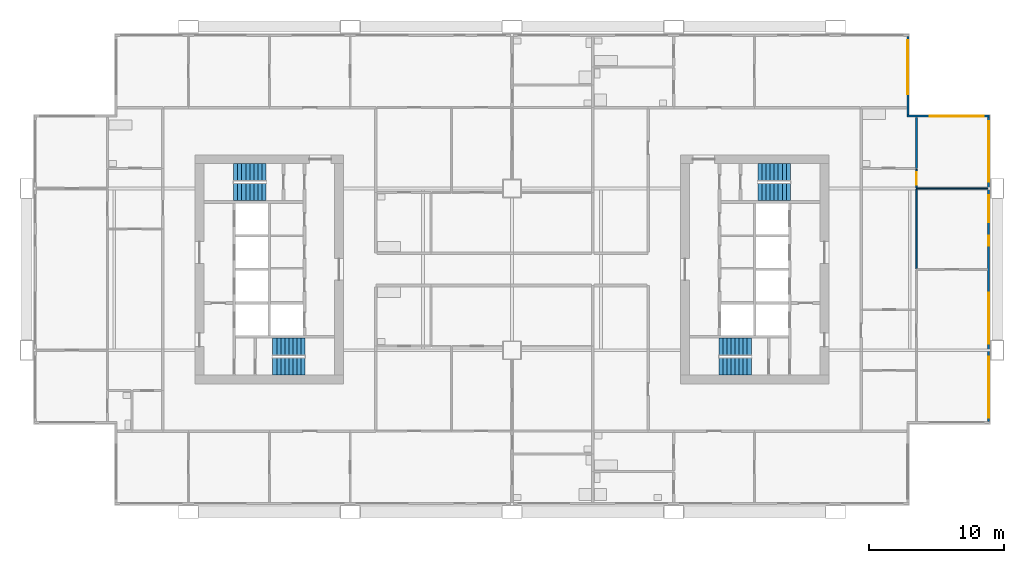
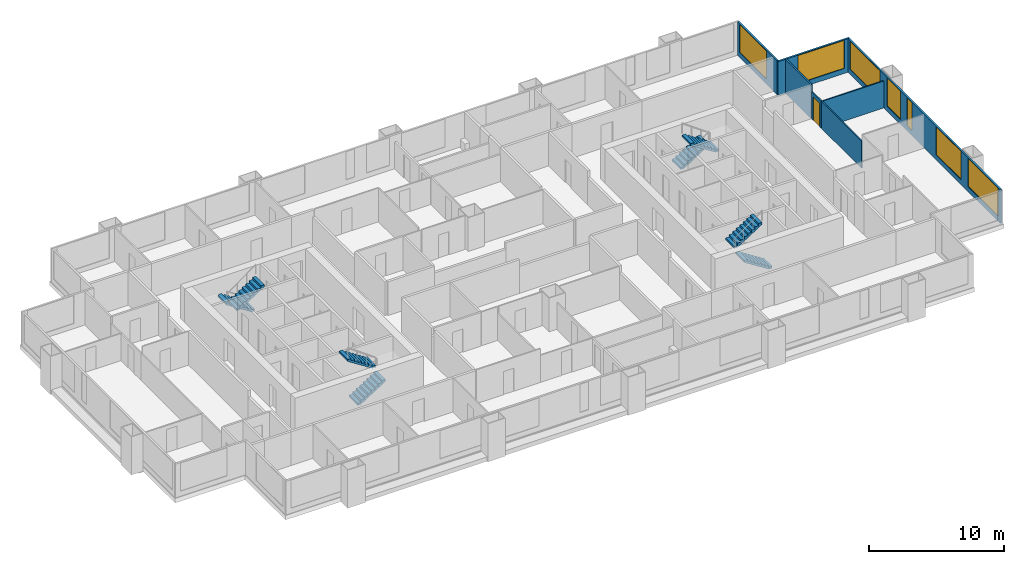
# One storey, part 9 of 11: 8 stair flights, 7 walls, 7 windows, 1 door, 8 openings, 4 elements without a shape of their own.
"""IFC4 building model written with IfcOpenShell, lengths in metres."""

from ifc_helpers import new_model, si_unit, direction, frame, frame_2d, origin, place, context, subcontext, project, spatial, polyline, rectangle, outline, extrude, material, layer, layer_set, type_object, element, fill, aggregate, save


model = new_model("IFC4")

# Units and contexts
model_context = context("Model", 3, precision=1e-05, world=origin(), true_north=direction((0.0, 1.0)))
body_context = subcontext(model_context, "Body", "Model", "MODEL_VIEW")
ifc_project = project(units=[si_unit("LENGTHUNIT", "METRE"), si_unit("AREAUNIT", "SQUARE_METRE"), si_unit("VOLUMEUNIT", "CUBIC_METRE"), si_unit("PLANEANGLEUNIT", "RADIAN"), si_unit("MASSUNIT", "GRAM", prefix="KILO")], contexts=[model_context])

# Site, building, storey
site_placement = place(None, origin())
site = spatial("IfcSite", under=ifc_project, at=site_placement, CompositionType="ELEMENT")
building_placement = place(site_placement, origin())
building = spatial("IfcBuilding", under=site, at=building_placement, Name="Kitamizu Gate Tower and Museum", CompositionType="ELEMENT")
storey_placement = place(building_placement, frame((0.0, 0.0, 120.75)))
storey = spatial("IfcBuildingStorey", under=building, at=storey_placement, Name="L31", CompositionType="ELEMENT", Elevation=120.75)

# Walls
ifc_material_1 = material(Name="Gypsum board on galvanised stud")
ifc_layer_1 = layer(ifc_material_1, 0.10009765625)
ifc_layer_set_1 = layer_set([ifc_layer_1], Name="Gypsum board on galvanised stud")
wall_type_1 = type_object("IfcWallType", Name="Partition 100 NOT RATED", PredefinedType="PARTITIONING", material=ifc_layer_set_1)
wall_1_placement = place(storey_placement, frame((71.280029296875, 36.0, 0.0), z_axis=(0.0, 0.0, 1.0), x_axis=(-1.0, 0.0, 0.0)))
element("IfcWall", 1, at=wall_1_placement, inside=storey, type_object=wall_type_1, Name="Partition L31-103", PredefinedType="PARTITIONING", context=body_context, shape_type="SweptSolid", body=[
    extrude(rectangle(XDim=5.280029296875, YDim=0.10009765625, at=frame_2d((2.64013671875, 0.0))), origin(), (0.0, 0.0, 1.0), 2.449951171875),
])
wall_2_placement = place(storey_placement, frame((66.0, 35.949951171875, 0.0), z_axis=(0.0, 0.0, 1.0), x_axis=(0.0, -1.0, 0.0)))
element("IfcWall", 2, at=wall_2_placement, inside=storey, type_object=wall_type_1, Name="Partition L31-104", PredefinedType="PARTITIONING", context=body_context, shape_type="SweptSolid", body=[
    extrude(rectangle(XDim=5.89990234375, YDim=0.10009765625, at=frame_2d((2.949951171875, 0.0))), origin(), (0.0, 0.0, 1.0), 2.449951171875),
])

# Wall, opening, door
wall_3_placement = place(storey_placement, frame((66.0, 37.425048828125, 0.0), z_axis=(0.0, 0.0, 1.0), x_axis=(0.0, -1.0, 0.0)))
wall_3 = element("IfcWall", 3, at=wall_3_placement, inside=storey, type_object=wall_type_1, Name="Partition L31-105", PredefinedType="PARTITIONING", context=body_context, shape_type="SweptSolid", body=[
    extrude(rectangle(XDim=1.375, YDim=0.10009765625, at=frame_2d((0.6875, 0.0))), origin(), (0.0, 0.0, 1.0), 2.449951171875),
])
opening_1_placement = place(wall_3_placement, frame((0.237548828125, 0.0, 0.0)))
opening_1 = element("IfcOpeningElement", 4, at=opening_1_placement, cuts=wall_3, Name="Opening L31-039", PredefinedType="OPENING", context=body_context, shape_type="SweptSolid", body=[
    extrude(rectangle(XDim=0.89990234375, YDim=2.10009765625, at=frame_2d((0.449951171875, 1.050048828125))), frame((0.0, 0.06005859375, 0.0), z_axis=(0.0, -1.0, 0.0), x_axis=(1.0, 0.0, 0.0)), (0.0, 0.0, 1.0), 0.1201171875),
])
ifc_material_2 = material(Name="Timber door set", Category="wood")
door_type = type_object("IfcDoorType", Name="Room door 900", OperationType="NOTDEFINED", PredefinedType="DOOR", material=ifc_material_2)
door_placement = place(opening_1_placement, origin())
door = element("IfcDoor", 5, at=door_placement, inside=storey, type_object=door_type, Name="Door L31-039", OperationType="SINGLE_SWING_LEFT", OverallHeight=2.10009765625, OverallWidth=0.89990234375, PredefinedType="DOOR", context=body_context, shape_type="SweptSolid", body=[
    extrude(rectangle(XDim=0.89990234375, YDim=2.10009765625, at=frame_2d((0.449951171875, 1.050048828125))), frame((0.0, 0.02490234375, 0.0), z_axis=(0.0, -1.0, 0.0), x_axis=(1.0, 0.0, 0.0)), (0.0, 0.0, 1.0), 0.050048828125),
])
fill(opening_1, door)

# Wall
ifc_material_3 = material(Name="Gypsum board on galvanised stud")
ifc_layer_2 = layer(ifc_material_3, 0.14990234375)
ifc_layer_set_2 = layer_set([ifc_layer_2], Name="Gypsum board on galvanised stud")
wall_type_2 = type_object("IfcWallType", Name="Partition 150", PredefinedType="PARTITIONING", material=ifc_layer_set_2)
wall_4_placement = place(storey_placement, frame((66.0, 41.280029296875, 0.0), z_axis=(0.0, 0.0, 1.0), x_axis=(0.0, -1.0, 0.0)))
element("IfcWall", 6, at=wall_4_placement, inside=storey, type_object=wall_type_2, Name="Partition L31-106", PredefinedType="PARTITIONING", context=body_context, shape_type="SweptSolid", body=[
    extrude(rectangle(XDim=3.780029296875, YDim=0.14990234375, at=frame_2d((1.89013671875, 0.0))), origin(), (0.0, 0.0, 1.0), 3.050048828125),
])

# Wall, openings, windows
ifc_material_4 = material(Name="Bronze anodised aluminium frame with insulated spandrel and tinted glass", Category="aluminium")
ifc_layer_3 = layer(ifc_material_4, 0.14990234375)
ifc_layer_set_3 = layer_set([ifc_layer_3], Name="Bronze anodised aluminium frame with insulated spandrel and tinted glass")
wall_type_3 = type_object("IfcWallType", Name="WINDOW WALL 150 BRONZE FRAME EI 30", PredefinedType="ELEMENTEDWALL", material=ifc_layer_set_3)
wall_5_placement = place(storey_placement, frame((71.364990234375, 18.7099609375, 0.0), z_axis=(0.0, 0.0, 1.0), x_axis=(0.0, 1.0, 0.0)))
wall_5 = element("IfcWall", 7, at=wall_5_placement, inside=storey, type_object=wall_type_3, Name="Window wall east L31", PredefinedType="ELEMENTEDWALL", context=body_context, shape_type="SweptSolid", body=[
    extrude(rectangle(XDim=22.580078125, YDim=0.14990234375, at=frame_2d((11.2900390625, 0.0))), origin(), (0.0, 0.0, 1.0), 3.050048828125),
])
opening_2_placement = place(wall_5_placement, frame((0.2900390625, 0.0, 0.449951171875)))
opening_2 = element("IfcOpeningElement", 8, at=opening_2_placement, cuts=wall_5, Name="Opening W15", PredefinedType="OPENING", context=body_context, shape_type="SweptSolid", body=[
    extrude(rectangle(XDim=4.5, YDim=2.550048828125, at=frame_2d((2.25, 1.27490234375))), frame((0.0, 0.0849609375, 0.0), z_axis=(0.0, -1.0, 0.0), x_axis=(1.0, 0.0, 0.0)), (0.0, 0.0, 1.0), 0.169921875),
])
opening_3_placement = place(wall_5_placement, frame((5.7900390625, 0.0, 0.449951171875)))
opening_3 = element("IfcOpeningElement", 9, at=opening_3_placement, cuts=wall_5, Name="Opening W36", PredefinedType="OPENING", context=body_context, shape_type="SweptSolid", body=[
    extrude(rectangle(XDim=3.75, YDim=2.550048828125, at=frame_2d((1.875, 1.27490234375))), frame((0.0, 0.0849609375, 0.0), z_axis=(0.0, -1.0, 0.0), x_axis=(1.0, 0.0, 0.0)), (0.0, 0.0, 1.0), 0.169921875),
])
opening_4_placement = place(wall_5_placement, frame((13.0400390625, 0.0, 0.449951171875)))
opening_4 = element("IfcOpeningElement", 10, at=opening_4_placement, cuts=wall_5, Name="Opening W25", PredefinedType="OPENING", context=body_context, shape_type="SweptSolid", body=[
    extrude(rectangle(XDim=0.75, YDim=2.550048828125, at=frame_2d((0.375, 1.27490234375))), frame((0.0, 0.0849609375, 0.0), z_axis=(0.0, -1.0, 0.0), x_axis=(1.0, 0.0, 0.0)), (0.0, 0.0, 1.0), 0.169921875),
])
opening_5_placement = place(wall_5_placement, frame((14.7900390625, 0.0, 0.449951171875)))
opening_5 = element("IfcOpeningElement", 11, at=opening_5_placement, cuts=wall_5, Name="Opening W2", PredefinedType="OPENING", context=body_context, shape_type="SweptSolid", body=[
    extrude(rectangle(XDim=2.0, YDim=2.550048828125, at=frame_2d((1.0, 1.27490234375))), frame((0.0, 0.0849609375, 0.0), z_axis=(0.0, -1.0, 0.0), x_axis=(1.0, 0.0, 0.0)), (0.0, 0.0, 1.0), 0.169921875),
])
opening_6_placement = place(wall_5_placement, frame((17.7900390625, 0.0, 0.449951171875)))
opening_6 = element("IfcOpeningElement", 12, at=opening_6_placement, cuts=wall_5, Name="Opening W15", PredefinedType="OPENING", context=body_context, shape_type="SweptSolid", body=[
    extrude(rectangle(XDim=4.5, YDim=2.550048828125, at=frame_2d((2.25, 1.27490234375))), frame((0.0, 0.0849609375, 0.0), z_axis=(0.0, -1.0, 0.0), x_axis=(1.0, 0.0, 0.0)), (0.0, 0.0, 1.0), 0.169921875),
])
ifc_material_5 = material(Name="Bronze anodised aluminium frame, tinted triple glazing", Category="aluminium")
window_type_1 = type_object("IfcWindowType", Name="WINDOW 2000 x 2550 SILL 450", PartitioningType="SINGLE_PANEL", PredefinedType="WINDOW", material=ifc_material_5)
window_1_placement = place(opening_5_placement, origin())
window_1 = element("IfcWindow", 13, at=window_1_placement, inside=storey, type_object=window_type_1, Name="Window W2 L31", OverallHeight=2.550048828125, OverallWidth=2.0, PartitioningType="SINGLE_PANEL", PredefinedType="WINDOW", context=body_context, shape_type="SweptSolid", body=[
    extrude(rectangle(XDim=2.0, YDim=2.550048828125, at=frame_2d((1.0, 1.27490234375))), frame((0.0, 0.030029296875, 0.0), z_axis=(0.0, -1.0, 0.0), x_axis=(1.0, 0.0, 0.0)), (0.0, 0.0, 1.0), 0.06005859375),
])
fill(opening_5, window_1)
ifc_material_6 = material(Name="Bronze anodised aluminium frame, tinted triple glazing", Category="aluminium")
window_type_2 = type_object("IfcWindowType", Name="WINDOW 3750 x 2550 SILL 450", PartitioningType="SINGLE_PANEL", PredefinedType="WINDOW", material=ifc_material_6)
window_2_placement = place(opening_3_placement, origin())
window_2 = element("IfcWindow", 14, at=window_2_placement, inside=storey, type_object=window_type_2, Name="Window W36 L31", OverallHeight=2.550048828125, OverallWidth=3.75, PartitioningType="SINGLE_PANEL", PredefinedType="WINDOW", context=body_context, shape_type="SweptSolid", body=[
    extrude(rectangle(XDim=3.75, YDim=2.550048828125, at=frame_2d((1.875, 1.27490234375))), frame((0.0, 0.030029296875, 0.0), z_axis=(0.0, -1.0, 0.0), x_axis=(1.0, 0.0, 0.0)), (0.0, 0.0, 1.0), 0.06005859375),
])
fill(opening_3, window_2)
ifc_material_7 = material(Name="Bronze anodised aluminium frame, tinted triple glazing", Category="aluminium")
window_type_3 = type_object("IfcWindowType", Name="WINDOW 4500 x 2550 SILL 450", PartitioningType="SINGLE_PANEL", PredefinedType="WINDOW", material=ifc_material_7)
window_3_placement = place(opening_2_placement, origin())
window_3 = element("IfcWindow", 15, at=window_3_placement, inside=storey, type_object=window_type_3, Name="Window W15 L31", OverallHeight=2.550048828125, OverallWidth=4.5, PartitioningType="SINGLE_PANEL", PredefinedType="WINDOW", context=body_context, shape_type="SweptSolid", body=[
    extrude(rectangle(XDim=4.5, YDim=2.550048828125, at=frame_2d((2.25, 1.27490234375))), frame((0.0, 0.030029296875, 0.0), z_axis=(0.0, -1.0, 0.0), x_axis=(1.0, 0.0, 0.0)), (0.0, 0.0, 1.0), 0.06005859375),
])
fill(opening_2, window_3)
window_4_placement = place(opening_6_placement, origin())
window_4 = element("IfcWindow", 16, at=window_4_placement, inside=storey, type_object=window_type_3, Name="Window W15 L31", OverallHeight=2.550048828125, OverallWidth=4.5, PartitioningType="SINGLE_PANEL", PredefinedType="WINDOW", context=body_context, shape_type="SweptSolid", body=[
    extrude(rectangle(XDim=4.5, YDim=2.550048828125, at=frame_2d((2.25, 1.27490234375))), frame((0.0, 0.030029296875, 0.0), z_axis=(0.0, -1.0, 0.0), x_axis=(1.0, 0.0, 0.0)), (0.0, 0.0, 1.0), 0.06005859375),
])
fill(opening_6, window_4)
ifc_material_8 = material(Name="Bronze anodised aluminium frame, tinted triple glazing", Category="aluminium")
window_type_4 = type_object("IfcWindowType", Name="WINDOW 750 x 2550 SILL 450", PartitioningType="SINGLE_PANEL", PredefinedType="WINDOW", material=ifc_material_8)
window_5_placement = place(opening_4_placement, origin())
window_5 = element("IfcWindow", 17, at=window_5_placement, inside=storey, type_object=window_type_4, Name="Window W25 L31", OverallHeight=2.550048828125, OverallWidth=0.75, PartitioningType="SINGLE_PANEL", PredefinedType="WINDOW", context=body_context, shape_type="SweptSolid", body=[
    extrude(rectangle(XDim=0.75, YDim=2.550048828125, at=frame_2d((0.375, 1.27490234375))), frame((0.0, 0.030029296875, 0.0), z_axis=(0.0, -1.0, 0.0), x_axis=(1.0, 0.0, 0.0)), (0.0, 0.0, 1.0), 0.06005859375),
])
fill(opening_4, window_5)

# Wall, opening, window
wall_6_placement = place(storey_placement, frame((65.2900390625, 41.364990234375, 0.0), z_axis=(0.0, 0.0, 1.0), x_axis=(1.0, 0.0, 0.0)))
wall_6 = element("IfcWall", 18, at=wall_6_placement, inside=storey, type_object=wall_type_3, Name="Window wall north L31", PredefinedType="ELEMENTEDWALL", context=body_context, shape_type="SweptSolid", body=[
    extrude(rectangle(XDim=6.14990234375, YDim=0.14990234375, at=frame_2d((3.074951171875, 0.0))), origin(), (0.0, 0.0, 1.0), 3.050048828125),
])
opening_7_placement = place(wall_6_placement, frame((1.7099609375, 0.0, 0.449951171875)))
opening_7 = element("IfcOpeningElement", 19, at=opening_7_placement, cuts=wall_6, Name="Opening W16", PredefinedType="OPENING", context=body_context, shape_type="SweptSolid", body=[
    extrude(rectangle(XDim=4.0, YDim=2.550048828125, at=frame_2d((2.0, 1.27490234375))), frame((0.0, 0.0849609375, 0.0), z_axis=(0.0, -1.0, 0.0), x_axis=(1.0, 0.0, 0.0)), (0.0, 0.0, 1.0), 0.169921875),
])
ifc_material_9 = material(Name="Bronze anodised aluminium frame, tinted triple glazing", Category="aluminium")
window_type_5 = type_object("IfcWindowType", Name="WINDOW 4000 x 2550 SILL 450", PartitioningType="SINGLE_PANEL", PredefinedType="WINDOW", material=ifc_material_9)
window_6_placement = place(opening_7_placement, origin())
window_6 = element("IfcWindow", 20, at=window_6_placement, inside=storey, type_object=window_type_5, Name="Window W16 L31", OverallHeight=2.550048828125, OverallWidth=4.0, PartitioningType="SINGLE_PANEL", PredefinedType="WINDOW", context=body_context, shape_type="SweptSolid", body=[
    extrude(rectangle(XDim=4.0, YDim=2.550048828125, at=frame_2d((2.0, 1.27490234375))), frame((0.0, 0.030029296875, 0.0), z_axis=(0.0, -1.0, 0.0), x_axis=(1.0, 0.0, 0.0)), (0.0, 0.0, 1.0), 0.06005859375),
])
fill(opening_7, window_6)

wall_7_placement = place(storey_placement, frame((65.364990234375, 41.43994140625, 0.0), z_axis=(0.0, 0.0, 1.0), x_axis=(0.0, 1.0, 0.0)))
wall_7 = element("IfcWall", 21, at=wall_7_placement, inside=storey, type_object=wall_type_3, Name="Window wall east L31", PredefinedType="ELEMENTEDWALL", context=body_context, shape_type="SweptSolid", body=[
    extrude(rectangle(XDim=5.85009765625, YDim=0.14990234375, at=frame_2d((2.925048828125, 0.0))), origin(), (0.0, 0.0, 1.0), 3.050048828125),
])
opening_8_placement = place(wall_7_placement, frame((1.56005859375, 0.0, 0.449951171875)))
opening_8 = element("IfcOpeningElement", 22, at=opening_8_placement, cuts=wall_7, Name="Opening W16", PredefinedType="OPENING", context=body_context, shape_type="SweptSolid", body=[
    extrude(rectangle(XDim=4.0, YDim=2.550048828125, at=frame_2d((2.0, 1.27490234375))), frame((0.0, 0.0849609375, 0.0), z_axis=(0.0, -1.0, 0.0), x_axis=(1.0, 0.0, 0.0)), (0.0, 0.0, 1.0), 0.169921875),
])
window_7_placement = place(opening_8_placement, origin())
window_7 = element("IfcWindow", 23, at=window_7_placement, inside=storey, type_object=window_type_5, Name="Window W16 L31", OverallHeight=2.550048828125, OverallWidth=4.0, PartitioningType="SINGLE_PANEL", PredefinedType="WINDOW", context=body_context, shape_type="SweptSolid", body=[
    extrude(rectangle(XDim=4.0, YDim=2.550048828125, at=frame_2d((2.0, 1.27490234375))), frame((0.0, 0.030029296875, 0.0), z_axis=(0.0, -1.0, 0.0), x_axis=(1.0, 0.0, 0.0)), (0.0, 0.0, 1.0), 0.06005859375),
])
fill(opening_8, window_7)

# Stair, stair flights
ifc_material_10 = material(Name="Concrete Fc42", Category="concrete")
stair_type = type_object("IfcStairType", Name="Exit stair 1275 wide 192 rise 300 going", PredefinedType="HALF_TURN_STAIR", material=ifc_material_10)
stair_1_placement = place(storey_placement, origin())
stair_1 = element("IfcStair", 24, at=stair_1_placement, inside=storey, type_object=stair_type, Name="Exit stair ST1", PredefinedType="HALF_TURN_STAIR")
ifc_material_11 = material(Name="Concrete Fc42", Category="concrete")
stair_flight_type = type_object("IfcStairFlightType", Name="Stair flight 1275 wide 192 rise 300 going", PredefinedType="STRAIGHT", material=ifc_material_11)
stair_flight_1_placement = place(storey_placement, frame((18.25, 22.78759765625, 0.0), z_axis=(0.0, 0.0, 1.0), x_axis=(1.0, 0.0, 0.0)))
stair_flight_1 = element("IfcStairFlight", 25, at=stair_flight_1_placement, type_object=stair_flight_type, Name="ST1 flight 1", NumberOfRisers=9, NumberOfTreads=8, PredefinedType="STRAIGHT", RiserHeight=0.191666667, TreadLength=0.3, context=body_context, shape_type="SweptSolid", body=[
    extrude(outline(polyline([(0.0, 0.0), (0.0, 0.191650390625), (0.300048828125, 0.191650390625), (0.300048828125, 0.38330078125), (0.60009765625, 0.38330078125), (0.60009765625, 0.574951171875), (0.89990234375, 0.574951171875), (0.89990234375, 0.7666015625), (1.199951171875, 0.7666015625), (1.199951171875, 0.958251953125), (1.5, 0.958251953125), (1.5, 1.14990234375), (1.800048828125, 1.14990234375), (1.800048828125, 1.341552734375), (2.10009765625, 1.341552734375), (2.10009765625, 1.533447265625), (2.39990234375, 1.533447265625), (2.39990234375, 1.72509765625), (2.39990234375, 1.35546875), (0.2783203125, 0.0), (0.0, 0.0)])), frame((0.0, 0.637451171875, 0.0), z_axis=(0.0, -1.0, 0.0), x_axis=(1.0, 0.0, 0.0)), (0.0, 0.0, 1.0), 1.27490234375),
])
stair_flight_2_placement = place(storey_placement, frame((20.64990234375, 24.262451171875, 1.72509765625), z_axis=(0.0, 0.0, 1.0), x_axis=(-1.0, 0.0, 0.0)))
stair_flight_2 = element("IfcStairFlight", 26, at=stair_flight_2_placement, type_object=stair_flight_type, Name="ST1 flight 2", NumberOfRisers=9, NumberOfTreads=8, PredefinedType="STRAIGHT", RiserHeight=0.191666667, TreadLength=0.3, context=body_context, shape_type="SweptSolid", body=[
    extrude(outline(polyline([(0.0, 0.0), (0.0, 0.191650390625), (0.300048828125, 0.191650390625), (0.300048828125, 0.38330078125), (0.60009765625, 0.38330078125), (0.60009765625, 0.574951171875), (0.89990234375, 0.574951171875), (0.89990234375, 0.7666015625), (1.199951171875, 0.7666015625), (1.199951171875, 0.958251953125), (1.5, 0.958251953125), (1.5, 1.14990234375), (1.800048828125, 1.14990234375), (1.800048828125, 1.341552734375), (2.10009765625, 1.341552734375), (2.10009765625, 1.533447265625), (2.39990234375, 1.533447265625), (2.39990234375, 1.72509765625), (2.39990234375, 1.35546875), (0.2783203125, 0.0), (0.0, 0.0)])), frame((0.0, 0.637451171875, 0.0), z_axis=(0.0, -1.0, 0.0), x_axis=(1.0, 0.0, 0.0)), (0.0, 0.0, 1.0), 1.27490234375),
])
aggregate(stair_1, [stair_flight_1, stair_flight_2])

stair_2_placement = place(storey_placement, origin())
stair_2 = element("IfcStair", 27, at=stair_2_placement, inside=storey, type_object=stair_type, Name="Exit stair ST2", PredefinedType="HALF_TURN_STAIR")
stair_flight_3_placement = place(storey_placement, frame((17.75, 37.21240234375, 0.0), z_axis=(0.0, 0.0, 1.0), x_axis=(-1.0, 0.0, 0.0)))
stair_flight_3 = element("IfcStairFlight", 28, at=stair_flight_3_placement, type_object=stair_flight_type, Name="ST2 flight 1", NumberOfRisers=9, NumberOfTreads=8, PredefinedType="STRAIGHT", RiserHeight=0.191666667, TreadLength=0.3, context=body_context, shape_type="SweptSolid", body=[
    extrude(outline(polyline([(0.0, 0.0), (0.0, 0.191650390625), (0.300048828125, 0.191650390625), (0.300048828125, 0.38330078125), (0.60009765625, 0.38330078125), (0.60009765625, 0.574951171875), (0.89990234375, 0.574951171875), (0.89990234375, 0.7666015625), (1.199951171875, 0.7666015625), (1.199951171875, 0.958251953125), (1.5, 0.958251953125), (1.5, 1.14990234375), (1.800048828125, 1.14990234375), (1.800048828125, 1.341552734375), (2.10009765625, 1.341552734375), (2.10009765625, 1.533447265625), (2.39990234375, 1.533447265625), (2.39990234375, 1.72509765625), (2.39990234375, 1.35546875), (0.2783203125, 0.0), (0.0, 0.0)])), frame((0.0, 0.637451171875, 0.0), z_axis=(0.0, -1.0, 0.0), x_axis=(1.0, 0.0, 0.0)), (0.0, 0.0, 1.0), 1.27490234375),
])
stair_flight_4_placement = place(storey_placement, frame((15.35009765625, 35.737548828125, 1.72509765625), z_axis=(0.0, 0.0, 1.0), x_axis=(1.0, 0.0, 0.0)))
stair_flight_4 = element("IfcStairFlight", 29, at=stair_flight_4_placement, type_object=stair_flight_type, Name="ST2 flight 2", NumberOfRisers=9, NumberOfTreads=8, PredefinedType="STRAIGHT", RiserHeight=0.191666667, TreadLength=0.3, context=body_context, shape_type="SweptSolid", body=[
    extrude(outline(polyline([(0.0, 0.0), (0.0, 0.191650390625), (0.300048828125, 0.191650390625), (0.300048828125, 0.38330078125), (0.60009765625, 0.38330078125), (0.60009765625, 0.574951171875), (0.89990234375, 0.574951171875), (0.89990234375, 0.7666015625), (1.199951171875, 0.7666015625), (1.199951171875, 0.958251953125), (1.5, 0.958251953125), (1.5, 1.14990234375), (1.800048828125, 1.14990234375), (1.800048828125, 1.341552734375), (2.10009765625, 1.341552734375), (2.10009765625, 1.533447265625), (2.39990234375, 1.533447265625), (2.39990234375, 1.72509765625), (2.39990234375, 1.35546875), (0.2783203125, 0.0), (0.0, 0.0)])), frame((0.0, 0.637451171875, 0.0), z_axis=(0.0, -1.0, 0.0), x_axis=(1.0, 0.0, 0.0)), (0.0, 0.0, 1.0), 1.27490234375),
])
aggregate(stair_2, [stair_flight_3, stair_flight_4])

stair_3_placement = place(storey_placement, origin())
stair_3 = element("IfcStair", 30, at=stair_3_placement, inside=storey, type_object=stair_type, Name="Exit stair ST3", PredefinedType="HALF_TURN_STAIR")
stair_flight_5_placement = place(storey_placement, frame((53.75, 22.78759765625, 0.0), z_axis=(0.0, 0.0, 1.0), x_axis=(-1.0, 0.0, 0.0)))
stair_flight_5 = element("IfcStairFlight", 31, at=stair_flight_5_placement, type_object=stair_flight_type, Name="ST3 flight 1", NumberOfRisers=9, NumberOfTreads=8, PredefinedType="STRAIGHT", RiserHeight=0.191666667, TreadLength=0.3, context=body_context, shape_type="SweptSolid", body=[
    extrude(outline(polyline([(0.0, 0.0), (0.0, 0.191650390625), (0.300048828125, 0.191650390625), (0.300048828125, 0.38330078125), (0.60009765625, 0.38330078125), (0.60009765625, 0.574951171875), (0.89990234375, 0.574951171875), (0.89990234375, 0.7666015625), (1.199951171875, 0.7666015625), (1.199951171875, 0.958251953125), (1.5, 0.958251953125), (1.5, 1.14990234375), (1.800048828125, 1.14990234375), (1.800048828125, 1.341552734375), (2.10009765625, 1.341552734375), (2.10009765625, 1.533447265625), (2.39990234375, 1.533447265625), (2.39990234375, 1.72509765625), (2.39990234375, 1.35546875), (0.2783203125, 0.0), (0.0, 0.0)])), frame((0.0, 0.637451171875, 0.0), z_axis=(0.0, -1.0, 0.0), x_axis=(1.0, 0.0, 0.0)), (0.0, 0.0, 1.0), 1.27490234375),
])
stair_flight_6_placement = place(storey_placement, frame((51.35009765625, 24.262451171875, 1.72509765625), z_axis=(0.0, 0.0, 1.0), x_axis=(1.0, 0.0, 0.0)))
stair_flight_6 = element("IfcStairFlight", 32, at=stair_flight_6_placement, type_object=stair_flight_type, Name="ST3 flight 2", NumberOfRisers=9, NumberOfTreads=8, PredefinedType="STRAIGHT", RiserHeight=0.191666667, TreadLength=0.3, context=body_context, shape_type="SweptSolid", body=[
    extrude(outline(polyline([(0.0, 0.0), (0.0, 0.191650390625), (0.300048828125, 0.191650390625), (0.300048828125, 0.38330078125), (0.60009765625, 0.38330078125), (0.60009765625, 0.574951171875), (0.89990234375, 0.574951171875), (0.89990234375, 0.7666015625), (1.199951171875, 0.7666015625), (1.199951171875, 0.958251953125), (1.5, 0.958251953125), (1.5, 1.14990234375), (1.800048828125, 1.14990234375), (1.800048828125, 1.341552734375), (2.10009765625, 1.341552734375), (2.10009765625, 1.533447265625), (2.39990234375, 1.533447265625), (2.39990234375, 1.72509765625), (2.39990234375, 1.35546875), (0.2783203125, 0.0), (0.0, 0.0)])), frame((0.0, 0.637451171875, 0.0), z_axis=(0.0, -1.0, 0.0), x_axis=(1.0, 0.0, 0.0)), (0.0, 0.0, 1.0), 1.27490234375),
])
aggregate(stair_3, [stair_flight_5, stair_flight_6])

stair_4_placement = place(storey_placement, origin())
stair_4 = element("IfcStair", 33, at=stair_4_placement, inside=storey, type_object=stair_type, Name="Exit stair ST4", PredefinedType="HALF_TURN_STAIR")
stair_flight_7_placement = place(storey_placement, frame((54.25, 37.21240234375, 0.0), z_axis=(0.0, 0.0, 1.0), x_axis=(1.0, 0.0, 0.0)))
stair_flight_7 = element("IfcStairFlight", 34, at=stair_flight_7_placement, type_object=stair_flight_type, Name="ST4 flight 1", NumberOfRisers=9, NumberOfTreads=8, PredefinedType="STRAIGHT", RiserHeight=0.191666667, TreadLength=0.3, context=body_context, shape_type="SweptSolid", body=[
    extrude(outline(polyline([(0.0, 0.0), (0.0, 0.191650390625), (0.300048828125, 0.191650390625), (0.300048828125, 0.38330078125), (0.60009765625, 0.38330078125), (0.60009765625, 0.574951171875), (0.89990234375, 0.574951171875), (0.89990234375, 0.7666015625), (1.199951171875, 0.7666015625), (1.199951171875, 0.958251953125), (1.5, 0.958251953125), (1.5, 1.14990234375), (1.800048828125, 1.14990234375), (1.800048828125, 1.341552734375), (2.10009765625, 1.341552734375), (2.10009765625, 1.533447265625), (2.39990234375, 1.533447265625), (2.39990234375, 1.72509765625), (2.39990234375, 1.35546875), (0.2783203125, 0.0), (0.0, 0.0)])), frame((0.0, 0.637451171875, 0.0), z_axis=(0.0, -1.0, 0.0), x_axis=(1.0, 0.0, 0.0)), (0.0, 0.0, 1.0), 1.27490234375),
])
stair_flight_8_placement = place(storey_placement, frame((56.64990234375, 35.737548828125, 1.72509765625), z_axis=(0.0, 0.0, 1.0), x_axis=(-1.0, 0.0, 0.0)))
stair_flight_8 = element("IfcStairFlight", 35, at=stair_flight_8_placement, type_object=stair_flight_type, Name="ST4 flight 2", NumberOfRisers=9, NumberOfTreads=8, PredefinedType="STRAIGHT", RiserHeight=0.191666667, TreadLength=0.3, context=body_context, shape_type="SweptSolid", body=[
    extrude(outline(polyline([(0.0, 0.0), (0.0, 0.191650390625), (0.300048828125, 0.191650390625), (0.300048828125, 0.38330078125), (0.60009765625, 0.38330078125), (0.60009765625, 0.574951171875), (0.89990234375, 0.574951171875), (0.89990234375, 0.7666015625), (1.199951171875, 0.7666015625), (1.199951171875, 0.958251953125), (1.5, 0.958251953125), (1.5, 1.14990234375), (1.800048828125, 1.14990234375), (1.800048828125, 1.341552734375), (2.10009765625, 1.341552734375), (2.10009765625, 1.533447265625), (2.39990234375, 1.533447265625), (2.39990234375, 1.72509765625), (2.39990234375, 1.35546875), (0.2783203125, 0.0), (0.0, 0.0)])), frame((0.0, 0.637451171875, 0.0), z_axis=(0.0, -1.0, 0.0), x_axis=(1.0, 0.0, 0.0)), (0.0, 0.0, 1.0), 1.27490234375),
])
aggregate(stair_4, [stair_flight_7, stair_flight_8])

save(model, "model.ifc")
